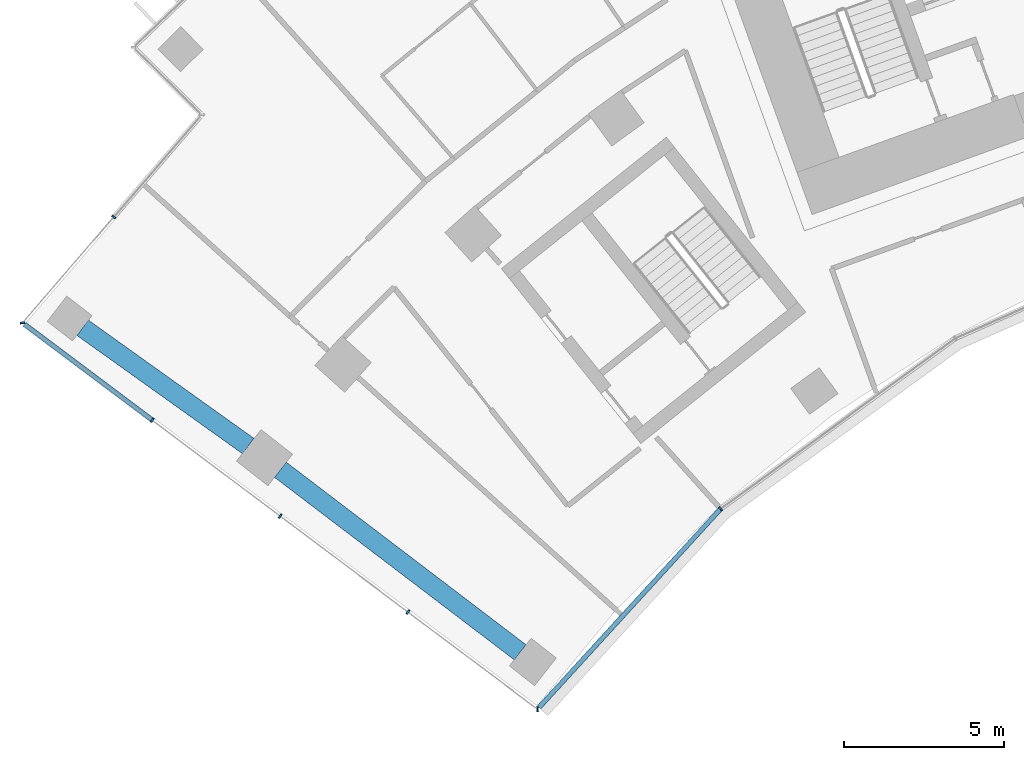
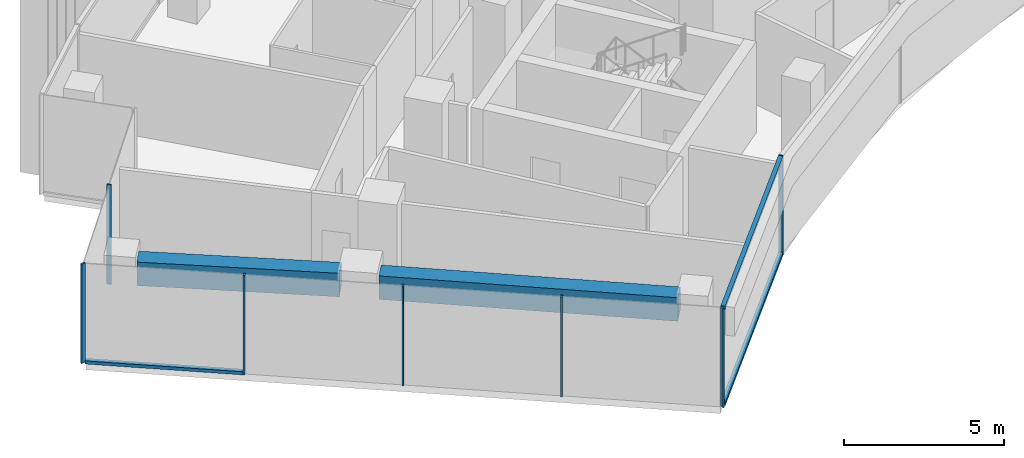
# One storey, part 2 of 23: 10 members, 2 beams, 3 elements without a shape of their own.
"""IFC4 building model written with IfcOpenShell, lengths in metres."""

from ifc_helpers import new_model, si_unit, direction, frame, origin, origin_2d, place, context, subcontext, project, spatial, rectangle, extrude, material, layer, layer_set, material_profile, profile_set, type_object, element, aggregate, save


model = new_model("IFC4")

# Units and contexts
model_context = context("Model", 3, precision=1e-05, world=origin(), true_north=direction((0.0, 1.0)))
body_context = subcontext(model_context, "Body", "Model", "MODEL_VIEW")
ifc_project = project(units=[si_unit("LENGTHUNIT", "METRE"), si_unit("AREAUNIT", "SQUARE_METRE"), si_unit("VOLUMEUNIT", "CUBIC_METRE"), si_unit("PLANEANGLEUNIT", "RADIAN"), si_unit("MASSUNIT", "GRAM", prefix="KILO")], contexts=[model_context])

# Site, building, storey
site_placement = place(None, origin())
site = spatial("IfcSite", under=ifc_project, at=site_placement, CompositionType="ELEMENT")
building_placement = place(site_placement, origin())
building = spatial("IfcBuilding", under=site, at=building_placement, Name="Stone Belt Terrace Tower", CompositionType="ELEMENT")
storey_placement = place(building_placement, frame((0.0, 0.0, 178.199951171875)))
storey = spatial("IfcBuildingStorey", under=building, at=storey_placement, Name="L43", CompositionType="ELEMENT", Elevation=178.199951171875)

# Curtain wall, members
ifc_material_1 = material(Name="Aluminium 6063-T6 anodised frame", Category="aluminium")
ifc_layer_1 = layer(ifc_material_1, 0.14990234375)
ifc_layer_set_1 = layer_set([ifc_layer_1], Name="CW-B unitised concave-face curtain wall")
curtain_wall_type_1 = type_object("IfcCurtainWallType", Name="CW-B unitised concave-face curtain wall", PredefinedType="NOTDEFINED", material=ifc_layer_set_1)
curtain_wall_1_placement = place(storey_placement, origin())
curtain_wall_1 = element("IfcCurtainWall", 1, at=curtain_wall_1_placement, inside=storey, type_object=curtain_wall_type_1, Name="CW-B concave face L43", PredefinedType="NOTDEFINED")
ifc_material_profile_1 = material_profile(ifc_material_1, rectangle(XDim=0.14990234375, YDim=0.050048828125, at=origin_2d()), Name="Aluminium 6063-T6 50x150")
ifc_profile_set_1 = profile_set([ifc_material_profile_1], Name="Aluminium 6063-T6 anodised frame")
member_type_1 = type_object("IfcMemberType", Name="CW-B mullion 50 x 150", PredefinedType="MULLION", material=ifc_profile_set_1)
member_1_placement = place(storey_placement, frame((-34.7900390625, 26.0, 0.0), z_axis=(0.0, 0.0, 1.0), x_axis=(-0.093180581986, 0.995649224949, 0.0)))
member_1 = element("IfcMember", 2, at=member_1_placement, type_object=member_type_1, Name="CW-B mullion 1", PredefinedType="MULLION", context=body_context, shape_type="SweptSolid", body=[
    extrude(rectangle(XDim=0.14990234375, YDim=0.050048828125, at=origin_2d()), origin(), (0.0, 0.0, 1.0), 3.800048828125),
])
member_2_placement = place(storey_placement, frame((-29.056884765625, 32.2705078125, 0.0), z_axis=(0.0, 0.0, 1.0), x_axis=(-0.666300886777, 0.745682994496, 0.0)))
member_2 = element("IfcMember", 3, at=member_2_placement, type_object=member_type_1, Name="CW-B mullion 2", PredefinedType="MULLION", context=body_context, shape_type="SweptSolid", body=[
    extrude(rectangle(XDim=0.14990234375, YDim=0.050048828125, at=origin_2d()), origin(), (0.0, 0.0, 1.0), 3.800048828125),
])
ifc_material_profile_2 = material_profile(ifc_material_1, rectangle(XDim=0.14990234375, YDim=0.1201171875, at=origin_2d()), Name="Aluminium 6063-T6 150x120")
ifc_profile_set_2 = profile_set([ifc_material_profile_2], Name="Aluminium 6063-T6 anodised frame")
member_type_2 = type_object("IfcMemberType", Name="CW-B transom 120 x 150", PredefinedType="USERDEFINED", material=ifc_profile_set_2)
member_3_placement = place(storey_placement, frame((-34.743408203125, 26.05078125, 0.06005859375), z_axis=(0.674757432231, 0.738039570517, 0.0), x_axis=(-0.738039570517, 0.674757432231, 0.0)))
member_3 = element("IfcMember", 4, at=member_3_placement, type_object=member_type_2, Name="CW-B transom 1.1", ObjectType="TRANSOM", PredefinedType="USERDEFINED", context=body_context, shape_type="SweptSolid", body=[
    extrude(rectangle(XDim=0.14990234375, YDim=0.1201171875, at=origin_2d()), origin(), (0.0, 0.0, 1.0), 8.39501953125),
])
member_4_placement = place(storey_placement, frame((-34.743408203125, 26.05078125, 3.739990234375), z_axis=(0.674757432231, 0.738039570517, 0.0), x_axis=(-0.738039570517, 0.674757432231, 0.0)))
member_4 = element("IfcMember", 5, at=member_4_placement, type_object=member_type_2, Name="CW-B transom 1.2", ObjectType="TRANSOM", PredefinedType="USERDEFINED", context=body_context, shape_type="SweptSolid", body=[
    extrude(rectangle(XDim=0.14990234375, YDim=0.1201171875, at=origin_2d()), origin(), (0.0, 0.0, 1.0), 8.39501953125),
])
aggregate(curtain_wall_1, [member_1, member_2, member_3, member_4])

# Curtain wall, member
ifc_layer_2 = layer(ifc_material_1, 0.14990234375)
ifc_layer_set_2 = layer_set([ifc_layer_2], Name="CW-C stick curtain wall, horn ends and notches")
curtain_wall_type_2 = type_object("IfcCurtainWallType", Name="CW-C stick curtain wall, horn ends and notches", PredefinedType="NOTDEFINED", material=ifc_layer_set_2)
curtain_wall_2_placement = place(storey_placement, origin())
curtain_wall_2 = element("IfcCurtainWall", 6, at=curtain_wall_2_placement, inside=storey, type_object=curtain_wall_type_2, Name="CW-C notch face L43", PredefinedType="NOTDEFINED")
ifc_material_profile_3 = material_profile(ifc_material_1, rectangle(XDim=0.14990234375, YDim=0.06005859375, at=origin_2d()), Name="Aluminium 6063-T6 60x150")
ifc_profile_set_3 = profile_set([ifc_material_profile_3], Name="Aluminium 6063-T6 anodised frame")
member_type_3 = type_object("IfcMemberType", Name="CW-C mullion 60 x 150", PredefinedType="MULLION", material=ifc_profile_set_3)
member_5_placement = place(storey_placement, frame((-48.05322265625, 41.40283203125, 0.0), z_axis=(0.0, 0.0, 1.0), x_axis=(0.757583847343, -0.652737860281, 0.0)))
member_5 = element("IfcMember", 7, at=member_5_placement, type_object=member_type_3, Name="CW-C mullion 2", PredefinedType="MULLION", context=body_context, shape_type="SweptSolid", body=[
    extrude(rectangle(XDim=0.14990234375, YDim=0.06005859375, at=origin_2d()), origin(), (0.0, 0.0, 1.0), 3.800048828125),
])
aggregate(curtain_wall_2, [member_5])

# Curtain wall, members
curtain_wall_3_placement = place(storey_placement, origin())
curtain_wall_3 = element("IfcCurtainWall", 8, at=curtain_wall_3_placement, inside=storey, type_object=curtain_wall_type_2, Name="CW-C end face L43", PredefinedType="NOTDEFINED")
member_6_placement = place(storey_placement, frame((-50.908447265625, 38.08935546875, 0.0), z_axis=(0.0, 0.0, 1.0), x_axis=(0.994169356535, 0.107829914807, 0.0)))
member_6 = element("IfcMember", 9, at=member_6_placement, type_object=member_type_3, Name="CW-C mullion 1", PredefinedType="MULLION", context=body_context, shape_type="SweptSolid", body=[
    extrude(rectangle(XDim=0.14990234375, YDim=0.06005859375, at=origin_2d()), origin(), (0.0, 0.0, 1.0), 3.800048828125),
])
member_7_placement = place(storey_placement, frame((-46.84423828125, 35.041015625, 0.0), z_axis=(0.0, 0.0, 1.0), x_axis=(0.600017992436, 0.799986505357, 0.0)))
member_7 = element("IfcMember", 10, at=member_7_placement, type_object=member_type_3, Name="CW-C mullion 2", PredefinedType="MULLION", context=body_context, shape_type="SweptSolid", body=[
    extrude(rectangle(XDim=0.14990234375, YDim=0.06005859375, at=origin_2d()), origin(), (0.0, 0.0, 1.0), 3.800048828125),
])
member_8_placement = place(storey_placement, frame((-42.84423828125, 32.041015625, 0.0), z_axis=(0.0, 0.0, 1.0), x_axis=(0.600017992436, 0.799986505357, 0.0)))
member_8 = element("IfcMember", 11, at=member_8_placement, type_object=member_type_3, Name="CW-C mullion 3", PredefinedType="MULLION", context=body_context, shape_type="SweptSolid", body=[
    extrude(rectangle(XDim=0.14990234375, YDim=0.06005859375, at=origin_2d()), origin(), (0.0, 0.0, 1.0), 3.800048828125),
])
member_9_placement = place(storey_placement, frame((-38.84423828125, 29.040771484375, 0.0), z_axis=(0.0, 0.0, 1.0), x_axis=(0.600017992436, 0.799986505357, 0.0)))
member_9 = element("IfcMember", 12, at=member_9_placement, type_object=member_type_3, Name="CW-C mullion 4", PredefinedType="MULLION", context=body_context, shape_type="SweptSolid", body=[
    extrude(rectangle(XDim=0.14990234375, YDim=0.06005859375, at=origin_2d()), origin(), (0.0, 0.0, 1.0), 3.800048828125),
])
ifc_material_profile_4 = material_profile(ifc_material_1, rectangle(XDim=0.14990234375, YDim=0.1201171875, at=origin_2d()), Name="Aluminium 6063-T6 150x120")
ifc_profile_set_4 = profile_set([ifc_material_profile_4], Name="Aluminium 6063-T6 anodised frame")
member_type_4 = type_object("IfcMemberType", Name="CW-C transom 120 x 150", PredefinedType="USERDEFINED", material=ifc_profile_set_4)
member_10_placement = place(storey_placement, frame((-50.84814453125, 38.044189453125, 0.06005859375), z_axis=(0.799988222323, -0.600015703248, 0.0), x_axis=(0.600015703248, 0.799988222323, 0.0)))
member_10 = element("IfcMember", 13, at=member_10_placement, type_object=member_type_4, Name="CW-C transom 1.1", ObjectType="TRANSOM", PredefinedType="USERDEFINED", context=body_context, shape_type="SweptSolid", body=[
    extrude(rectangle(XDim=0.14990234375, YDim=0.1201171875, at=origin_2d()), origin(), (0.0, 0.0, 1.0), 4.97509765625),
])
aggregate(curtain_wall_3, [member_6, member_7, member_8, member_9, member_10])

# Beams
ifc_material_2 = material(Name="Concrete B60", Category="concrete")
ifc_material_profile_5 = material_profile(ifc_material_2, rectangle(XDim=0.60009765625, YDim=0.89990234375, at=origin_2d()), Name="RC 600x900")
ifc_profile_set_5 = profile_set([ifc_material_profile_5], Name="Concrete B60")
beam_type = type_object("IfcBeamType", Name="Edge beam RC 600x900 B60", PredefinedType="SPANDREL", material=ifc_profile_set_5)
beam_1_placement = place(storey_placement, frame((-35.33203125, 27.779541015625, 3.030029296875), z_axis=(-0.795702028976, 0.605688270552, 0.0), x_axis=(-0.605688270552, -0.795702028976, 0.0)))
element("IfcBeam", 14, at=beam_1_placement, inside=storey, type_object=beam_type, Name="Edge beam L43 A P to Q", PredefinedType="SPANDREL", context=body_context, shape_type="SweptSolid", body=[
    extrude(rectangle(XDim=0.60009765625, YDim=0.89990234375, at=origin_2d()), origin(), (0.0, 0.0, 1.0), 9.430908203125),
])
beam_2_placement = place(storey_placement, frame((-43.842529296875, 34.23388671875, 3.030029296875), z_axis=(-0.813774908454, 0.581180177201, 0.0), x_axis=(-0.581180177201, -0.813774908454, 0.0)))
element("IfcBeam", 15, at=beam_2_placement, inside=storey, type_object=beam_type, Name="Edge beam L43 A Q to R", PredefinedType="SPANDREL", context=body_context, shape_type="SweptSolid", body=[
    extrude(rectangle(XDim=0.60009765625, YDim=0.89990234375, at=origin_2d()), origin(), (0.0, 0.0, 1.0), 6.369140625),
])

save(model, "model.ifc")
